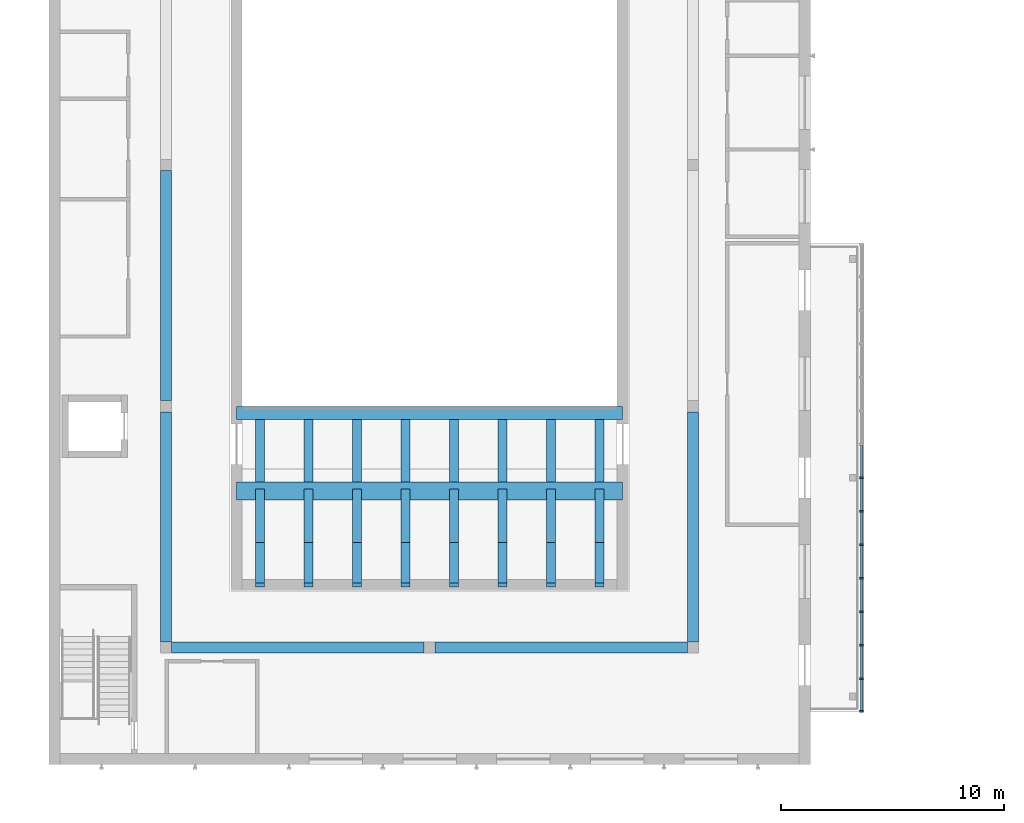
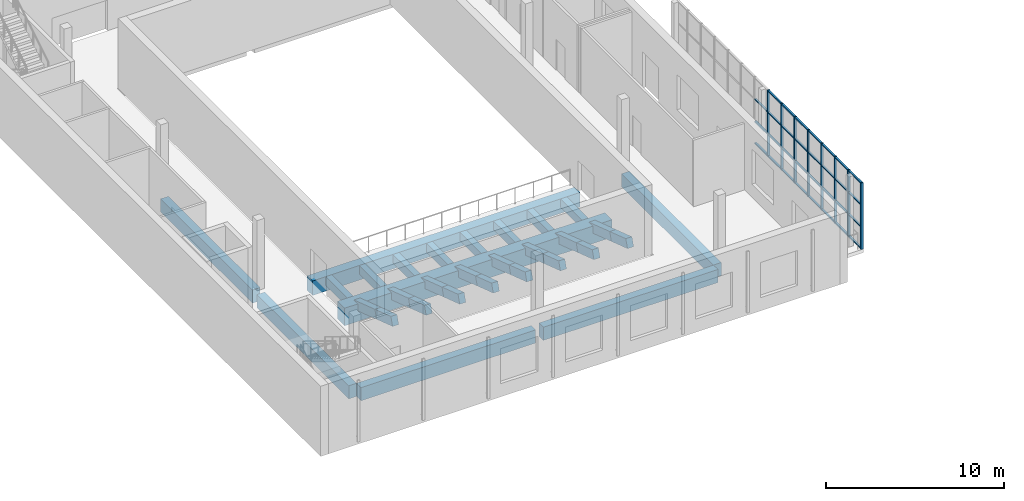
# One storey, part 15 of 127: 39 members, 31 beams, 1 element without a shape of its own.
"""IFC4 building model written with IfcOpenShell, lengths in metres."""

from ifc_helpers import new_model, si_unit, direction, frame, origin, origin_2d, place, context, subcontext, project, spatial, rectangle, extrude, material, material_profile, profile_set, type_object, element, aggregate, save


model = new_model("IFC4")

# Units and contexts
model_context = context("Model", 3, precision=1e-05, world=origin(), true_north=direction((0.0, 1.0)))
body_context = subcontext(model_context, "Body", "Model", "MODEL_VIEW")
ifc_project = project(units=[si_unit("LENGTHUNIT", "METRE"), si_unit("AREAUNIT", "SQUARE_METRE"), si_unit("VOLUMEUNIT", "CUBIC_METRE"), si_unit("PLANEANGLEUNIT", "RADIAN"), si_unit("MASSUNIT", "GRAM", prefix="KILO")], contexts=[model_context])

# Site, building, storey
site_placement = place(None, origin())
site = spatial("IfcSite", under=ifc_project, at=site_placement, CompositionType="ELEMENT")
building_placement = place(site_placement, origin())
building = spatial("IfcBuilding", under=site, at=building_placement, Name="Ljudholm Concert House", CompositionType="ELEMENT")
storey_placement = place(building_placement, frame((0.0, 0.0, 5.39990234375)))
storey = spatial("IfcBuildingStorey", under=building, at=storey_placement, Name="L01", CompositionType="ELEMENT", Elevation=5.39990234375)

# Curtain wall, members
ifc_material_1 = material(Name="Aluminium curtain wall with fixed aluminium storm louvre blades, timber-grain pvdf finish", Category="aluminium")
curtain_wall_type = type_object("IfcCurtainWallType", Name="CURTAIN WALL 1500", PredefinedType="NOTDEFINED", material=ifc_material_1)
curtain_wall_placement = place(storey_placement, origin())
curtain_wall = element("IfcCurtainWall", 1, at=curtain_wall_placement, inside=storey, type_object=curtain_wall_type, Name="Storm louvre screen", PredefinedType="NOTDEFINED")
ifc_material_2 = material(Name="Aluminium extrusion", Category="aluminium")
ifc_material_profile_1 = material_profile(ifc_material_2, rectangle(XDim=0.159912109375, YDim=0.080078125, at=origin_2d()), Name="MULLION 80x160")
ifc_profile_set_1 = profile_set([ifc_material_profile_1], Name="Aluminium extrusion")
member_type_1 = type_object("IfcMemberType", Name="MULLION 80x160", PredefinedType="MULLION", material=ifc_profile_set_1)
member_1_placement = place(storey_placement, frame((48.550048828125, 6.139892578125, 0.0), z_axis=(0.0, 0.0, 1.0), x_axis=(-1.0, 0.0, 0.0)))
member_1 = element("IfcMember", 2, at=member_1_placement, type_object=member_type_1, Name="Mullion", PredefinedType="MULLION", context=body_context, shape_type="SweptSolid", body=[
    extrude(rectangle(XDim=0.159912109375, YDim=0.080078125, at=origin_2d()), origin(), (0.0, 0.0, 1.0), 4.550048828125),
])
member_2_placement = place(storey_placement, frame((48.550048828125, 7.60009765625, 0.0), z_axis=(0.0, 0.0, 1.0), x_axis=(-1.0, 0.0, 0.0)))
member_2 = element("IfcMember", 3, at=member_2_placement, type_object=member_type_1, Name="Mullion", PredefinedType="MULLION", context=body_context, shape_type="SweptSolid", body=[
    extrude(rectangle(XDim=0.159912109375, YDim=0.080078125, at=origin_2d()), origin(), (0.0, 0.0, 1.0), 4.550048828125),
])
member_3_placement = place(storey_placement, frame((48.550048828125, 9.10009765625, 0.0), z_axis=(0.0, 0.0, 1.0), x_axis=(-1.0, 0.0, 0.0)))
member_3 = element("IfcMember", 4, at=member_3_placement, type_object=member_type_1, Name="Mullion", PredefinedType="MULLION", context=body_context, shape_type="SweptSolid", body=[
    extrude(rectangle(XDim=0.159912109375, YDim=0.080078125, at=origin_2d()), origin(), (0.0, 0.0, 1.0), 4.550048828125),
])
member_4_placement = place(storey_placement, frame((48.550048828125, 10.60009765625, 0.0), z_axis=(0.0, 0.0, 1.0), x_axis=(-1.0, 0.0, 0.0)))
member_4 = element("IfcMember", 5, at=member_4_placement, type_object=member_type_1, Name="Mullion", PredefinedType="MULLION", context=body_context, shape_type="SweptSolid", body=[
    extrude(rectangle(XDim=0.159912109375, YDim=0.080078125, at=origin_2d()), origin(), (0.0, 0.0, 1.0), 4.550048828125),
])
member_5_placement = place(storey_placement, frame((48.550048828125, 12.10009765625, 0.0), z_axis=(0.0, 0.0, 1.0), x_axis=(-1.0, 0.0, 0.0)))
member_5 = element("IfcMember", 6, at=member_5_placement, type_object=member_type_1, Name="Mullion", PredefinedType="MULLION", context=body_context, shape_type="SweptSolid", body=[
    extrude(rectangle(XDim=0.159912109375, YDim=0.080078125, at=origin_2d()), origin(), (0.0, 0.0, 1.0), 4.550048828125),
])
member_6_placement = place(storey_placement, frame((48.550048828125, 13.60009765625, 0.0), z_axis=(0.0, 0.0, 1.0), x_axis=(-1.0, 0.0, 0.0)))
member_6 = element("IfcMember", 7, at=member_6_placement, type_object=member_type_1, Name="Mullion", PredefinedType="MULLION", context=body_context, shape_type="SweptSolid", body=[
    extrude(rectangle(XDim=0.159912109375, YDim=0.080078125, at=origin_2d()), origin(), (0.0, 0.0, 1.0), 4.550048828125),
])
member_7_placement = place(storey_placement, frame((48.550048828125, 15.10009765625, 0.0), z_axis=(0.0, 0.0, 1.0), x_axis=(-1.0, 0.0, 0.0)))
member_7 = element("IfcMember", 8, at=member_7_placement, type_object=member_type_1, Name="Mullion", PredefinedType="MULLION", context=body_context, shape_type="SweptSolid", body=[
    extrude(rectangle(XDim=0.159912109375, YDim=0.080078125, at=origin_2d()), origin(), (0.0, 0.0, 1.0), 4.550048828125),
])
member_8_placement = place(storey_placement, frame((48.550048828125, 16.60009765625, 0.0), z_axis=(0.0, 0.0, 1.0), x_axis=(-1.0, 0.0, 0.0)))
member_8 = element("IfcMember", 9, at=member_8_placement, type_object=member_type_1, Name="Mullion", PredefinedType="MULLION", context=body_context, shape_type="SweptSolid", body=[
    extrude(rectangle(XDim=0.159912109375, YDim=0.080078125, at=origin_2d()), origin(), (0.0, 0.0, 1.0), 4.550048828125),
])

# Beams
ifc_material_3 = material(Name="Concrete 6,500 psi", Category="concrete")
ifc_material_profile_2 = material_profile(ifc_material_3, rectangle(XDim=0.39990234375, YDim=0.60009765625, at=origin_2d()), Name="RC BEAM 400x600 BEAM")
ifc_profile_set_2 = profile_set([ifc_material_profile_2], Name="Concrete 6,500 psi")
beam_type_1 = type_object("IfcBeamType", Name="RC BEAM 400x600 BEAM", PredefinedType="BEAM", material=ifc_profile_set_2)
beam_1_placement = place(storey_placement, frame((21.60009765625, 11.800048828125, 1.1171875), z_axis=(0.0, 0.948670430448, -0.316266366207), x_axis=(-1.0, 0.0, 0.0)))
element("IfcBeam", 10, at=beam_1_placement, inside=storey, type_object=beam_type_1, Name="Raker beam", PredefinedType="BEAM", context=body_context, shape_type="SweptSolid", body=[
    extrude(rectangle(XDim=0.39990234375, YDim=0.60009765625, at=origin_2d()), origin(), (0.0, 0.0, 1.0), 1.8974609375),
])
beam_2_placement = place(storey_placement, frame((21.60009765625, 13.60009765625, 0.51708984375), z_axis=(0.0, 0.948702598472, -0.31616985886), x_axis=(-1.0, 0.0, 0.0)))
element("IfcBeam", 11, at=beam_2_placement, inside=storey, type_object=beam_type_1, Name="Raker beam", PredefinedType="BEAM", context=body_context, shape_type="SweptSolid", body=[
    extrude(rectangle(XDim=0.39990234375, YDim=0.60009765625, at=origin_2d()), origin(), (0.0, 0.0, 1.0), 2.52978515625),
])
beam_3_placement = place(storey_placement, frame((21.60009765625, 16.39990234375, -0.599853515625), z_axis=(0.0, 1.0, 0.0), x_axis=(-1.0, 0.0, 0.0)))
element("IfcBeam", 12, at=beam_3_placement, inside=storey, type_object=beam_type_1, Name="Raker beam", PredefinedType="BEAM", context=body_context, shape_type="SweptSolid", body=[
    extrude(rectangle(XDim=0.39990234375, YDim=0.60009765625, at=origin_2d()), origin(), (0.0, 0.0, 1.0), 2.800048828125),
])
beam_4_placement = place(storey_placement, frame((23.771484375, 11.800048828125, 1.1171875), z_axis=(0.0, 0.948670430448, -0.316266366207), x_axis=(-1.0, 0.0, 0.0)))
element("IfcBeam", 13, at=beam_4_placement, inside=storey, type_object=beam_type_1, Name="Raker beam", PredefinedType="BEAM", context=body_context, shape_type="SweptSolid", body=[
    extrude(rectangle(XDim=0.39990234375, YDim=0.60009765625, at=origin_2d()), origin(), (0.0, 0.0, 1.0), 1.8974609375),
])
beam_5_placement = place(storey_placement, frame((23.771484375, 13.60009765625, 0.51708984375), z_axis=(0.0, 0.948702598472, -0.31616985886), x_axis=(-1.0, 0.0, 0.0)))
element("IfcBeam", 14, at=beam_5_placement, inside=storey, type_object=beam_type_1, Name="Raker beam", PredefinedType="BEAM", context=body_context, shape_type="SweptSolid", body=[
    extrude(rectangle(XDim=0.39990234375, YDim=0.60009765625, at=origin_2d()), origin(), (0.0, 0.0, 1.0), 2.52978515625),
])
beam_6_placement = place(storey_placement, frame((23.771484375, 16.39990234375, -0.599853515625), z_axis=(0.0, 1.0, 0.0), x_axis=(-1.0, 0.0, 0.0)))
element("IfcBeam", 15, at=beam_6_placement, inside=storey, type_object=beam_type_1, Name="Raker beam", PredefinedType="BEAM", context=body_context, shape_type="SweptSolid", body=[
    extrude(rectangle(XDim=0.39990234375, YDim=0.60009765625, at=origin_2d()), origin(), (0.0, 0.0, 1.0), 2.800048828125),
])
beam_7_placement = place(storey_placement, frame((25.94287109375, 11.800048828125, 1.1171875), z_axis=(0.0, 0.948670430448, -0.316266366207), x_axis=(-1.0, 0.0, 0.0)))
element("IfcBeam", 16, at=beam_7_placement, inside=storey, type_object=beam_type_1, Name="Raker beam", PredefinedType="BEAM", context=body_context, shape_type="SweptSolid", body=[
    extrude(rectangle(XDim=0.39990234375, YDim=0.60009765625, at=origin_2d()), origin(), (0.0, 0.0, 1.0), 1.8974609375),
])
beam_8_placement = place(storey_placement, frame((25.94287109375, 13.60009765625, 0.51708984375), z_axis=(0.0, 0.948702598472, -0.31616985886), x_axis=(-1.0, 0.0, 0.0)))
element("IfcBeam", 17, at=beam_8_placement, inside=storey, type_object=beam_type_1, Name="Raker beam", PredefinedType="BEAM", context=body_context, shape_type="SweptSolid", body=[
    extrude(rectangle(XDim=0.39990234375, YDim=0.60009765625, at=origin_2d()), origin(), (0.0, 0.0, 1.0), 2.52978515625),
])
beam_9_placement = place(storey_placement, frame((25.94287109375, 16.39990234375, -0.599853515625), z_axis=(0.0, 1.0, 0.0), x_axis=(-1.0, 0.0, 0.0)))
element("IfcBeam", 18, at=beam_9_placement, inside=storey, type_object=beam_type_1, Name="Raker beam", PredefinedType="BEAM", context=body_context, shape_type="SweptSolid", body=[
    extrude(rectangle(XDim=0.39990234375, YDim=0.60009765625, at=origin_2d()), origin(), (0.0, 0.0, 1.0), 2.800048828125),
])
beam_10_placement = place(storey_placement, frame((28.1142578125, 11.800048828125, 1.1171875), z_axis=(0.0, 0.948670430448, -0.316266366207), x_axis=(-1.0, 0.0, 0.0)))
element("IfcBeam", 19, at=beam_10_placement, inside=storey, type_object=beam_type_1, Name="Raker beam", PredefinedType="BEAM", context=body_context, shape_type="SweptSolid", body=[
    extrude(rectangle(XDim=0.39990234375, YDim=0.60009765625, at=origin_2d()), origin(), (0.0, 0.0, 1.0), 1.8974609375),
])
beam_11_placement = place(storey_placement, frame((28.1142578125, 13.60009765625, 0.51708984375), z_axis=(0.0, 0.948702598472, -0.31616985886), x_axis=(-1.0, 0.0, 0.0)))
element("IfcBeam", 20, at=beam_11_placement, inside=storey, type_object=beam_type_1, Name="Raker beam", PredefinedType="BEAM", context=body_context, shape_type="SweptSolid", body=[
    extrude(rectangle(XDim=0.39990234375, YDim=0.60009765625, at=origin_2d()), origin(), (0.0, 0.0, 1.0), 2.52978515625),
])
beam_12_placement = place(storey_placement, frame((28.1142578125, 16.39990234375, -0.599853515625), z_axis=(0.0, 1.0, 0.0), x_axis=(-1.0, 0.0, 0.0)))
element("IfcBeam", 21, at=beam_12_placement, inside=storey, type_object=beam_type_1, Name="Raker beam", PredefinedType="BEAM", context=body_context, shape_type="SweptSolid", body=[
    extrude(rectangle(XDim=0.39990234375, YDim=0.60009765625, at=origin_2d()), origin(), (0.0, 0.0, 1.0), 2.800048828125),
])
beam_13_placement = place(storey_placement, frame((30.28564453125, 11.800048828125, 1.1171875), z_axis=(0.0, 0.948670430448, -0.316266366207), x_axis=(-1.0, 0.0, 0.0)))
element("IfcBeam", 22, at=beam_13_placement, inside=storey, type_object=beam_type_1, Name="Raker beam", PredefinedType="BEAM", context=body_context, shape_type="SweptSolid", body=[
    extrude(rectangle(XDim=0.39990234375, YDim=0.60009765625, at=origin_2d()), origin(), (0.0, 0.0, 1.0), 1.8974609375),
])
beam_14_placement = place(storey_placement, frame((30.28564453125, 13.60009765625, 0.51708984375), z_axis=(0.0, 0.948702598472, -0.31616985886), x_axis=(-1.0, 0.0, 0.0)))
element("IfcBeam", 23, at=beam_14_placement, inside=storey, type_object=beam_type_1, Name="Raker beam", PredefinedType="BEAM", context=body_context, shape_type="SweptSolid", body=[
    extrude(rectangle(XDim=0.39990234375, YDim=0.60009765625, at=origin_2d()), origin(), (0.0, 0.0, 1.0), 2.52978515625),
])
beam_15_placement = place(storey_placement, frame((30.28564453125, 16.39990234375, -0.599853515625), z_axis=(0.0, 1.0, 0.0), x_axis=(-1.0, 0.0, 0.0)))
element("IfcBeam", 24, at=beam_15_placement, inside=storey, type_object=beam_type_1, Name="Raker beam", PredefinedType="BEAM", context=body_context, shape_type="SweptSolid", body=[
    extrude(rectangle(XDim=0.39990234375, YDim=0.60009765625, at=origin_2d()), origin(), (0.0, 0.0, 1.0), 2.800048828125),
])
beam_16_placement = place(storey_placement, frame((32.45703125, 11.800048828125, 1.1171875), z_axis=(0.0, 0.948670430448, -0.316266366207), x_axis=(-1.0, 0.0, 0.0)))
element("IfcBeam", 25, at=beam_16_placement, inside=storey, type_object=beam_type_1, Name="Raker beam", PredefinedType="BEAM", context=body_context, shape_type="SweptSolid", body=[
    extrude(rectangle(XDim=0.39990234375, YDim=0.60009765625, at=origin_2d()), origin(), (0.0, 0.0, 1.0), 1.8974609375),
])
beam_17_placement = place(storey_placement, frame((32.45703125, 13.60009765625, 0.51708984375), z_axis=(0.0, 0.948702598472, -0.31616985886), x_axis=(-1.0, 0.0, 0.0)))
element("IfcBeam", 26, at=beam_17_placement, inside=storey, type_object=beam_type_1, Name="Raker beam", PredefinedType="BEAM", context=body_context, shape_type="SweptSolid", body=[
    extrude(rectangle(XDim=0.39990234375, YDim=0.60009765625, at=origin_2d()), origin(), (0.0, 0.0, 1.0), 2.52978515625),
])
beam_18_placement = place(storey_placement, frame((32.45703125, 16.39990234375, -0.599853515625), z_axis=(0.0, 1.0, 0.0), x_axis=(-1.0, 0.0, 0.0)))
element("IfcBeam", 27, at=beam_18_placement, inside=storey, type_object=beam_type_1, Name="Raker beam", PredefinedType="BEAM", context=body_context, shape_type="SweptSolid", body=[
    extrude(rectangle(XDim=0.39990234375, YDim=0.60009765625, at=origin_2d()), origin(), (0.0, 0.0, 1.0), 2.800048828125),
])
beam_19_placement = place(storey_placement, frame((34.628662109375, 11.800048828125, 1.1171875), z_axis=(0.0, 0.948670430448, -0.316266366207), x_axis=(-1.0, 0.0, 0.0)))
element("IfcBeam", 28, at=beam_19_placement, inside=storey, type_object=beam_type_1, Name="Raker beam", PredefinedType="BEAM", context=body_context, shape_type="SweptSolid", body=[
    extrude(rectangle(XDim=0.39990234375, YDim=0.60009765625, at=origin_2d()), origin(), (0.0, 0.0, 1.0), 1.8974609375),
])
beam_20_placement = place(storey_placement, frame((34.628662109375, 13.60009765625, 0.51708984375), z_axis=(0.0, 0.948702598472, -0.31616985886), x_axis=(-1.0, 0.0, 0.0)))
element("IfcBeam", 29, at=beam_20_placement, inside=storey, type_object=beam_type_1, Name="Raker beam", PredefinedType="BEAM", context=body_context, shape_type="SweptSolid", body=[
    extrude(rectangle(XDim=0.39990234375, YDim=0.60009765625, at=origin_2d()), origin(), (0.0, 0.0, 1.0), 2.52978515625),
])
beam_21_placement = place(storey_placement, frame((34.628662109375, 16.39990234375, -0.599853515625), z_axis=(0.0, 1.0, 0.0), x_axis=(-1.0, 0.0, 0.0)))
element("IfcBeam", 30, at=beam_21_placement, inside=storey, type_object=beam_type_1, Name="Raker beam", PredefinedType="BEAM", context=body_context, shape_type="SweptSolid", body=[
    extrude(rectangle(XDim=0.39990234375, YDim=0.60009765625, at=origin_2d()), origin(), (0.0, 0.0, 1.0), 2.800048828125),
])
beam_22_placement = place(storey_placement, frame((36.800048828125, 11.800048828125, 1.1171875), z_axis=(0.0, 0.948670430448, -0.316266366207), x_axis=(-1.0, 0.0, 0.0)))
element("IfcBeam", 31, at=beam_22_placement, inside=storey, type_object=beam_type_1, Name="Raker beam", PredefinedType="BEAM", context=body_context, shape_type="SweptSolid", body=[
    extrude(rectangle(XDim=0.39990234375, YDim=0.60009765625, at=origin_2d()), origin(), (0.0, 0.0, 1.0), 1.8974609375),
])
beam_23_placement = place(storey_placement, frame((36.800048828125, 13.60009765625, 0.51708984375), z_axis=(0.0, 0.948702598472, -0.31616985886), x_axis=(-1.0, 0.0, 0.0)))
element("IfcBeam", 32, at=beam_23_placement, inside=storey, type_object=beam_type_1, Name="Raker beam", PredefinedType="BEAM", context=body_context, shape_type="SweptSolid", body=[
    extrude(rectangle(XDim=0.39990234375, YDim=0.60009765625, at=origin_2d()), origin(), (0.0, 0.0, 1.0), 2.52978515625),
])
beam_24_placement = place(storey_placement, frame((36.800048828125, 16.39990234375, -0.599853515625), z_axis=(0.0, 1.0, 0.0), x_axis=(-1.0, 0.0, 0.0)))
element("IfcBeam", 33, at=beam_24_placement, inside=storey, type_object=beam_type_1, Name="Raker beam", PredefinedType="BEAM", context=body_context, shape_type="SweptSolid", body=[
    extrude(rectangle(XDim=0.39990234375, YDim=0.60009765625, at=origin_2d()), origin(), (0.0, 0.0, 1.0), 2.800048828125),
])
ifc_material_4 = material(Name="Concrete 6,500 psi", Category="concrete")
ifc_material_profile_3 = material_profile(ifc_material_4, rectangle(XDim=0.5, YDim=0.89990234375, at=origin_2d()), Name="RC BEAM 500x900")
ifc_profile_set_3 = profile_set([ifc_material_profile_3], Name="Concrete 6,500 psi")
beam_type_2 = type_object("IfcBeamType", Name="RC BEAM 500x900", PredefinedType="BEAM", material=ifc_profile_set_3)
for number, where, z_axis, x_axis, name in (
    (34, (17.64990234375, 9.0, -0.699951171875), (1.0, 0.0, 0.0), (0.0, 1.0, 0.0), "Ring beam"),
    (35, (29.449951171875, 9.0, -0.699951171875), (1.0, 0.0, 0.0), (0.0, 1.0, 0.0), "Ring beam"),
):
    element("IfcBeam", number, at=place(storey_placement, frame(where, z_axis=z_axis, x_axis=x_axis)), inside=storey, type_object=beam_type_2, Name=name, PredefinedType="BEAM", context=body_context, shape_type="SweptSolid", body=[
        extrude(rectangle(XDim=0.5, YDim=0.89990234375, at=origin_2d()), origin(), (0.0, 0.0, 1.0), 11.300048828125),
    ])
for number, where, z_axis, x_axis, name in (
    (36, (17.39990234375, 9.25, -0.699951171875), (0.0, 1.0, 0.0), (-1.0, 0.0, 0.0), "Ring beam"),
    (37, (17.39990234375, 20.050048828125, -0.699951171875), (0.0, 1.0, 0.0), (-1.0, 0.0, 0.0), "Ring beam"),
    (38, (41.0, 9.25, -0.699951171875), (0.0, 1.0, 0.0), (-1.0, 0.0, 0.0), "Ring beam"),
):
    element("IfcBeam", number, at=place(storey_placement, frame(where, z_axis=z_axis, x_axis=x_axis)), inside=storey, type_object=beam_type_2, Name=name, PredefinedType="BEAM", context=body_context, shape_type="SweptSolid", body=[
        extrude(rectangle(XDim=0.5, YDim=0.89990234375, at=origin_2d()), origin(), (0.0, 0.0, 1.0), 10.300048828125),
    ])
ifc_material_5 = material(Name="Concrete 6,500 psi", Category="concrete")
ifc_material_profile_4 = material_profile(ifc_material_5, rectangle(XDim=0.60009765625, YDim=1.0, at=origin_2d()), Name="RC BEAM 600x1000 BEAM")
ifc_profile_set_4 = profile_set([ifc_material_profile_4], Name="Concrete 6,500 psi")
beam_type_3 = type_object("IfcBeamType", Name="RC BEAM 600x1000 BEAM", PredefinedType="BEAM", material=ifc_profile_set_4)
beam_25_placement = place(storey_placement, frame((20.550048828125, 19.5, -0.7998046875), z_axis=(1.0, 0.0, 0.0), x_axis=(0.0, 1.0, 0.0)))
element("IfcBeam", 39, at=beam_25_placement, inside=storey, type_object=beam_type_3, Name="Gallery edge beam", PredefinedType="BEAM", context=body_context, shape_type="SweptSolid", body=[
    extrude(rectangle(XDim=0.60009765625, YDim=1.0, at=origin_2d()), origin(), (0.0, 0.0, 1.0), 17.300048828125),
])
ifc_material_6 = material(Name="Concrete 6,500 psi", Category="concrete")
ifc_material_profile_5 = material_profile(ifc_material_6, rectangle(XDim=0.800048828125, YDim=1.199951171875, at=origin_2d()), Name="RC BEAM 800x1200 BEAM")
ifc_profile_set_5 = profile_set([ifc_material_profile_5], Name="Concrete 6,500 psi")
beam_type_4 = type_object("IfcBeamType", Name="RC BEAM 800x1200 BEAM", PredefinedType="BEAM", material=ifc_profile_set_5)
beam_26_placement = place(storey_placement, frame((20.550048828125, 16.0, -0.582763671875), z_axis=(1.0, 0.0, 0.0), x_axis=(0.0, 1.0, 0.0)))
element("IfcBeam", 40, at=beam_26_placement, inside=storey, type_object=beam_type_4, Name="Transfer girder", PredefinedType="BEAM", context=body_context, shape_type="SweptSolid", body=[
    extrude(rectangle(XDim=0.800048828125, YDim=1.199951171875, at=origin_2d()), origin(), (0.0, 0.0, 1.0), 17.300048828125),
])

# Member
ifc_material_7 = material(Name="Aluminium extrusion", Category="aluminium")
ifc_material_profile_6 = material_profile(ifc_material_7, rectangle(XDim=0.1201171875, YDim=0.080078125, at=origin_2d()), Name="TRANSOM 80x120")
ifc_profile_set_6 = profile_set([ifc_material_profile_6], Name="Aluminium extrusion")
member_type_2 = type_object("IfcMemberType", Name="TRANSOM 80x120", PredefinedType="USERDEFINED", material=ifc_profile_set_6)
member_9_placement = place(storey_placement, frame((48.550048828125, 6.179931640625, 0.0400390625), z_axis=(0.0, 1.0, 0.0), x_axis=(-1.0, 0.0, 0.0)))
member_9 = element("IfcMember", 41, at=member_9_placement, type_object=member_type_2, Name="Transom", ObjectType="TRANSOM", PredefinedType="USERDEFINED", context=body_context, shape_type="SweptSolid", body=[
    extrude(rectangle(XDim=0.1201171875, YDim=0.080078125, at=origin_2d()), origin(), (0.0, 0.0, 1.0), 1.380126953125),
])

member_10_placement = place(storey_placement, frame((48.550048828125, 6.179931640625, 1.516845703125), z_axis=(0.0, 1.0, 0.0), x_axis=(-1.0, 0.0, 0.0)))
member_10 = element("IfcMember", 42, at=member_10_placement, type_object=member_type_2, Name="Transom", ObjectType="TRANSOM", PredefinedType="USERDEFINED", context=body_context, shape_type="SweptSolid", body=[
    extrude(rectangle(XDim=0.1201171875, YDim=0.080078125, at=origin_2d()), origin(), (0.0, 0.0, 1.0), 1.380126953125),
])

member_11_placement = place(storey_placement, frame((48.550048828125, 6.179931640625, 3.033447265625), z_axis=(0.0, 1.0, 0.0), x_axis=(-1.0, 0.0, 0.0)))
member_11 = element("IfcMember", 43, at=member_11_placement, type_object=member_type_2, Name="Transom", ObjectType="TRANSOM", PredefinedType="USERDEFINED", context=body_context, shape_type="SweptSolid", body=[
    extrude(rectangle(XDim=0.1201171875, YDim=0.080078125, at=origin_2d()), origin(), (0.0, 0.0, 1.0), 1.380126953125),
])

member_12_placement = place(storey_placement, frame((48.550048828125, 6.179931640625, 4.510009765625), z_axis=(0.0, 1.0, 0.0), x_axis=(-1.0, 0.0, 0.0)))
member_12 = element("IfcMember", 44, at=member_12_placement, type_object=member_type_2, Name="Transom", ObjectType="TRANSOM", PredefinedType="USERDEFINED", context=body_context, shape_type="SweptSolid", body=[
    extrude(rectangle(XDim=0.1201171875, YDim=0.080078125, at=origin_2d()), origin(), (0.0, 0.0, 1.0), 1.380126953125),
])

member_13_placement = place(storey_placement, frame((48.550048828125, 7.639892578125, 0.0400390625), z_axis=(0.0, 1.0, 0.0), x_axis=(-1.0, 0.0, 0.0)))
member_13 = element("IfcMember", 45, at=member_13_placement, type_object=member_type_2, Name="Transom", ObjectType="TRANSOM", PredefinedType="USERDEFINED", context=body_context, shape_type="SweptSolid", body=[
    extrude(rectangle(XDim=0.1201171875, YDim=0.080078125, at=origin_2d()), origin(), (0.0, 0.0, 1.0), 1.420166015625),
])

member_14_placement = place(storey_placement, frame((48.550048828125, 7.639892578125, 1.516845703125), z_axis=(0.0, 1.0, 0.0), x_axis=(-1.0, 0.0, 0.0)))
member_14 = element("IfcMember", 46, at=member_14_placement, type_object=member_type_2, Name="Transom", ObjectType="TRANSOM", PredefinedType="USERDEFINED", context=body_context, shape_type="SweptSolid", body=[
    extrude(rectangle(XDim=0.1201171875, YDim=0.080078125, at=origin_2d()), origin(), (0.0, 0.0, 1.0), 1.420166015625),
])

member_15_placement = place(storey_placement, frame((48.550048828125, 7.639892578125, 3.033447265625), z_axis=(0.0, 1.0, 0.0), x_axis=(-1.0, 0.0, 0.0)))
member_15 = element("IfcMember", 47, at=member_15_placement, type_object=member_type_2, Name="Transom", ObjectType="TRANSOM", PredefinedType="USERDEFINED", context=body_context, shape_type="SweptSolid", body=[
    extrude(rectangle(XDim=0.1201171875, YDim=0.080078125, at=origin_2d()), origin(), (0.0, 0.0, 1.0), 1.420166015625),
])

member_16_placement = place(storey_placement, frame((48.550048828125, 7.639892578125, 4.510009765625), z_axis=(0.0, 1.0, 0.0), x_axis=(-1.0, 0.0, 0.0)))
member_16 = element("IfcMember", 48, at=member_16_placement, type_object=member_type_2, Name="Transom", ObjectType="TRANSOM", PredefinedType="USERDEFINED", context=body_context, shape_type="SweptSolid", body=[
    extrude(rectangle(XDim=0.1201171875, YDim=0.080078125, at=origin_2d()), origin(), (0.0, 0.0, 1.0), 1.420166015625),
])

member_17_placement = place(storey_placement, frame((48.550048828125, 9.139892578125, 0.0400390625), z_axis=(0.0, 1.0, 0.0), x_axis=(-1.0, 0.0, 0.0)))
member_17 = element("IfcMember", 49, at=member_17_placement, type_object=member_type_2, Name="Transom", ObjectType="TRANSOM", PredefinedType="USERDEFINED", context=body_context, shape_type="SweptSolid", body=[
    extrude(rectangle(XDim=0.1201171875, YDim=0.080078125, at=origin_2d()), origin(), (0.0, 0.0, 1.0), 1.420166015625),
])

member_18_placement = place(storey_placement, frame((48.550048828125, 9.139892578125, 1.516845703125), z_axis=(0.0, 1.0, 0.0), x_axis=(-1.0, 0.0, 0.0)))
member_18 = element("IfcMember", 50, at=member_18_placement, type_object=member_type_2, Name="Transom", ObjectType="TRANSOM", PredefinedType="USERDEFINED", context=body_context, shape_type="SweptSolid", body=[
    extrude(rectangle(XDim=0.1201171875, YDim=0.080078125, at=origin_2d()), origin(), (0.0, 0.0, 1.0), 1.420166015625),
])

member_19_placement = place(storey_placement, frame((48.550048828125, 9.139892578125, 3.033447265625), z_axis=(0.0, 1.0, 0.0), x_axis=(-1.0, 0.0, 0.0)))
member_19 = element("IfcMember", 51, at=member_19_placement, type_object=member_type_2, Name="Transom", ObjectType="TRANSOM", PredefinedType="USERDEFINED", context=body_context, shape_type="SweptSolid", body=[
    extrude(rectangle(XDim=0.1201171875, YDim=0.080078125, at=origin_2d()), origin(), (0.0, 0.0, 1.0), 1.420166015625),
])

member_20_placement = place(storey_placement, frame((48.550048828125, 9.139892578125, 4.510009765625), z_axis=(0.0, 1.0, 0.0), x_axis=(-1.0, 0.0, 0.0)))
member_20 = element("IfcMember", 52, at=member_20_placement, type_object=member_type_2, Name="Transom", ObjectType="TRANSOM", PredefinedType="USERDEFINED", context=body_context, shape_type="SweptSolid", body=[
    extrude(rectangle(XDim=0.1201171875, YDim=0.080078125, at=origin_2d()), origin(), (0.0, 0.0, 1.0), 1.420166015625),
])

member_21_placement = place(storey_placement, frame((48.550048828125, 10.639892578125, 0.0400390625), z_axis=(0.0, 1.0, 0.0), x_axis=(-1.0, 0.0, 0.0)))
member_21 = element("IfcMember", 53, at=member_21_placement, type_object=member_type_2, Name="Transom", ObjectType="TRANSOM", PredefinedType="USERDEFINED", context=body_context, shape_type="SweptSolid", body=[
    extrude(rectangle(XDim=0.1201171875, YDim=0.080078125, at=origin_2d()), origin(), (0.0, 0.0, 1.0), 1.420166015625),
])

member_22_placement = place(storey_placement, frame((48.550048828125, 10.639892578125, 1.516845703125), z_axis=(0.0, 1.0, 0.0), x_axis=(-1.0, 0.0, 0.0)))
member_22 = element("IfcMember", 54, at=member_22_placement, type_object=member_type_2, Name="Transom", ObjectType="TRANSOM", PredefinedType="USERDEFINED", context=body_context, shape_type="SweptSolid", body=[
    extrude(rectangle(XDim=0.1201171875, YDim=0.080078125, at=origin_2d()), origin(), (0.0, 0.0, 1.0), 1.420166015625),
])

member_23_placement = place(storey_placement, frame((48.550048828125, 10.639892578125, 3.033447265625), z_axis=(0.0, 1.0, 0.0), x_axis=(-1.0, 0.0, 0.0)))
member_23 = element("IfcMember", 55, at=member_23_placement, type_object=member_type_2, Name="Transom", ObjectType="TRANSOM", PredefinedType="USERDEFINED", context=body_context, shape_type="SweptSolid", body=[
    extrude(rectangle(XDim=0.1201171875, YDim=0.080078125, at=origin_2d()), origin(), (0.0, 0.0, 1.0), 1.420166015625),
])

member_24_placement = place(storey_placement, frame((48.550048828125, 10.639892578125, 4.510009765625), z_axis=(0.0, 1.0, 0.0), x_axis=(-1.0, 0.0, 0.0)))
member_24 = element("IfcMember", 56, at=member_24_placement, type_object=member_type_2, Name="Transom", ObjectType="TRANSOM", PredefinedType="USERDEFINED", context=body_context, shape_type="SweptSolid", body=[
    extrude(rectangle(XDim=0.1201171875, YDim=0.080078125, at=origin_2d()), origin(), (0.0, 0.0, 1.0), 1.420166015625),
])

member_25_placement = place(storey_placement, frame((48.550048828125, 12.139892578125, 0.0400390625), z_axis=(0.0, 1.0, 0.0), x_axis=(-1.0, 0.0, 0.0)))
member_25 = element("IfcMember", 57, at=member_25_placement, type_object=member_type_2, Name="Transom", ObjectType="TRANSOM", PredefinedType="USERDEFINED", context=body_context, shape_type="SweptSolid", body=[
    extrude(rectangle(XDim=0.1201171875, YDim=0.080078125, at=origin_2d()), origin(), (0.0, 0.0, 1.0), 1.420166015625),
])

member_26_placement = place(storey_placement, frame((48.550048828125, 12.139892578125, 1.516845703125), z_axis=(0.0, 1.0, 0.0), x_axis=(-1.0, 0.0, 0.0)))
member_26 = element("IfcMember", 58, at=member_26_placement, type_object=member_type_2, Name="Transom", ObjectType="TRANSOM", PredefinedType="USERDEFINED", context=body_context, shape_type="SweptSolid", body=[
    extrude(rectangle(XDim=0.1201171875, YDim=0.080078125, at=origin_2d()), origin(), (0.0, 0.0, 1.0), 1.420166015625),
])

member_27_placement = place(storey_placement, frame((48.550048828125, 12.139892578125, 3.033447265625), z_axis=(0.0, 1.0, 0.0), x_axis=(-1.0, 0.0, 0.0)))
member_27 = element("IfcMember", 59, at=member_27_placement, type_object=member_type_2, Name="Transom", ObjectType="TRANSOM", PredefinedType="USERDEFINED", context=body_context, shape_type="SweptSolid", body=[
    extrude(rectangle(XDim=0.1201171875, YDim=0.080078125, at=origin_2d()), origin(), (0.0, 0.0, 1.0), 1.420166015625),
])

member_28_placement = place(storey_placement, frame((48.550048828125, 12.139892578125, 4.510009765625), z_axis=(0.0, 1.0, 0.0), x_axis=(-1.0, 0.0, 0.0)))
member_28 = element("IfcMember", 60, at=member_28_placement, type_object=member_type_2, Name="Transom", ObjectType="TRANSOM", PredefinedType="USERDEFINED", context=body_context, shape_type="SweptSolid", body=[
    extrude(rectangle(XDim=0.1201171875, YDim=0.080078125, at=origin_2d()), origin(), (0.0, 0.0, 1.0), 1.420166015625),
])

member_29_placement = place(storey_placement, frame((48.550048828125, 13.639892578125, 0.0400390625), z_axis=(0.0, 1.0, 0.0), x_axis=(-1.0, 0.0, 0.0)))
member_29 = element("IfcMember", 61, at=member_29_placement, type_object=member_type_2, Name="Transom", ObjectType="TRANSOM", PredefinedType="USERDEFINED", context=body_context, shape_type="SweptSolid", body=[
    extrude(rectangle(XDim=0.1201171875, YDim=0.080078125, at=origin_2d()), origin(), (0.0, 0.0, 1.0), 1.420166015625),
])

member_30_placement = place(storey_placement, frame((48.550048828125, 13.639892578125, 1.516845703125), z_axis=(0.0, 1.0, 0.0), x_axis=(-1.0, 0.0, 0.0)))
member_30 = element("IfcMember", 62, at=member_30_placement, type_object=member_type_2, Name="Transom", ObjectType="TRANSOM", PredefinedType="USERDEFINED", context=body_context, shape_type="SweptSolid", body=[
    extrude(rectangle(XDim=0.1201171875, YDim=0.080078125, at=origin_2d()), origin(), (0.0, 0.0, 1.0), 1.420166015625),
])

member_31_placement = place(storey_placement, frame((48.550048828125, 13.639892578125, 3.033447265625), z_axis=(0.0, 1.0, 0.0), x_axis=(-1.0, 0.0, 0.0)))
member_31 = element("IfcMember", 63, at=member_31_placement, type_object=member_type_2, Name="Transom", ObjectType="TRANSOM", PredefinedType="USERDEFINED", context=body_context, shape_type="SweptSolid", body=[
    extrude(rectangle(XDim=0.1201171875, YDim=0.080078125, at=origin_2d()), origin(), (0.0, 0.0, 1.0), 1.420166015625),
])

member_32_placement = place(storey_placement, frame((48.550048828125, 13.639892578125, 4.510009765625), z_axis=(0.0, 1.0, 0.0), x_axis=(-1.0, 0.0, 0.0)))
member_32 = element("IfcMember", 64, at=member_32_placement, type_object=member_type_2, Name="Transom", ObjectType="TRANSOM", PredefinedType="USERDEFINED", context=body_context, shape_type="SweptSolid", body=[
    extrude(rectangle(XDim=0.1201171875, YDim=0.080078125, at=origin_2d()), origin(), (0.0, 0.0, 1.0), 1.420166015625),
])

member_33_placement = place(storey_placement, frame((48.550048828125, 15.139892578125, 0.0400390625), z_axis=(0.0, 1.0, 0.0), x_axis=(-1.0, 0.0, 0.0)))
member_33 = element("IfcMember", 65, at=member_33_placement, type_object=member_type_2, Name="Transom", ObjectType="TRANSOM", PredefinedType="USERDEFINED", context=body_context, shape_type="SweptSolid", body=[
    extrude(rectangle(XDim=0.1201171875, YDim=0.080078125, at=origin_2d()), origin(), (0.0, 0.0, 1.0), 1.420166015625),
])

member_34_placement = place(storey_placement, frame((48.550048828125, 15.139892578125, 1.516845703125), z_axis=(0.0, 1.0, 0.0), x_axis=(-1.0, 0.0, 0.0)))
member_34 = element("IfcMember", 66, at=member_34_placement, type_object=member_type_2, Name="Transom", ObjectType="TRANSOM", PredefinedType="USERDEFINED", context=body_context, shape_type="SweptSolid", body=[
    extrude(rectangle(XDim=0.1201171875, YDim=0.080078125, at=origin_2d()), origin(), (0.0, 0.0, 1.0), 1.420166015625),
])

member_35_placement = place(storey_placement, frame((48.550048828125, 15.139892578125, 3.033447265625), z_axis=(0.0, 1.0, 0.0), x_axis=(-1.0, 0.0, 0.0)))
member_35 = element("IfcMember", 67, at=member_35_placement, type_object=member_type_2, Name="Transom", ObjectType="TRANSOM", PredefinedType="USERDEFINED", context=body_context, shape_type="SweptSolid", body=[
    extrude(rectangle(XDim=0.1201171875, YDim=0.080078125, at=origin_2d()), origin(), (0.0, 0.0, 1.0), 1.420166015625),
])

member_36_placement = place(storey_placement, frame((48.550048828125, 15.139892578125, 4.510009765625), z_axis=(0.0, 1.0, 0.0), x_axis=(-1.0, 0.0, 0.0)))
member_36 = element("IfcMember", 68, at=member_36_placement, type_object=member_type_2, Name="Transom", ObjectType="TRANSOM", PredefinedType="USERDEFINED", context=body_context, shape_type="SweptSolid", body=[
    extrude(rectangle(XDim=0.1201171875, YDim=0.080078125, at=origin_2d()), origin(), (0.0, 0.0, 1.0), 1.420166015625),
])

member_37_placement = place(storey_placement, frame((48.550048828125, 16.639892578125, 0.0400390625), z_axis=(0.0, 1.0, 0.0), x_axis=(-1.0, 0.0, 0.0)))
member_37 = element("IfcMember", 69, at=member_37_placement, type_object=member_type_2, Name="Transom", ObjectType="TRANSOM", PredefinedType="USERDEFINED", context=body_context, shape_type="SweptSolid", body=[
    extrude(rectangle(XDim=0.1201171875, YDim=0.080078125, at=origin_2d()), origin(), (0.0, 0.0, 1.0), 1.420166015625),
])

member_38_placement = place(storey_placement, frame((48.550048828125, 16.639892578125, 1.516845703125), z_axis=(0.0, 1.0, 0.0), x_axis=(-1.0, 0.0, 0.0)))
member_38 = element("IfcMember", 70, at=member_38_placement, type_object=member_type_2, Name="Transom", ObjectType="TRANSOM", PredefinedType="USERDEFINED", context=body_context, shape_type="SweptSolid", body=[
    extrude(rectangle(XDim=0.1201171875, YDim=0.080078125, at=origin_2d()), origin(), (0.0, 0.0, 1.0), 1.420166015625),
])

member_39_placement = place(storey_placement, frame((48.550048828125, 16.639892578125, 3.033447265625), z_axis=(0.0, 1.0, 0.0), x_axis=(-1.0, 0.0, 0.0)))
member_39 = element("IfcMember", 71, at=member_39_placement, type_object=member_type_2, Name="Transom", ObjectType="TRANSOM", PredefinedType="USERDEFINED", context=body_context, shape_type="SweptSolid", body=[
    extrude(rectangle(XDim=0.1201171875, YDim=0.080078125, at=origin_2d()), origin(), (0.0, 0.0, 1.0), 1.420166015625),
])

aggregate(curtain_wall, [member_1, member_2, member_3, member_4, member_5, member_6, member_7, member_8, member_9, member_10, member_11, member_12, member_13, member_14, member_15, member_16, member_17, member_18, member_19, member_20, member_21, member_22, member_23, member_24, member_25, member_26, member_27, member_28, member_29, member_30, member_31, member_32, member_33, member_34, member_35, member_36, member_37, member_38, member_39])

save(model, "model.ifc")
